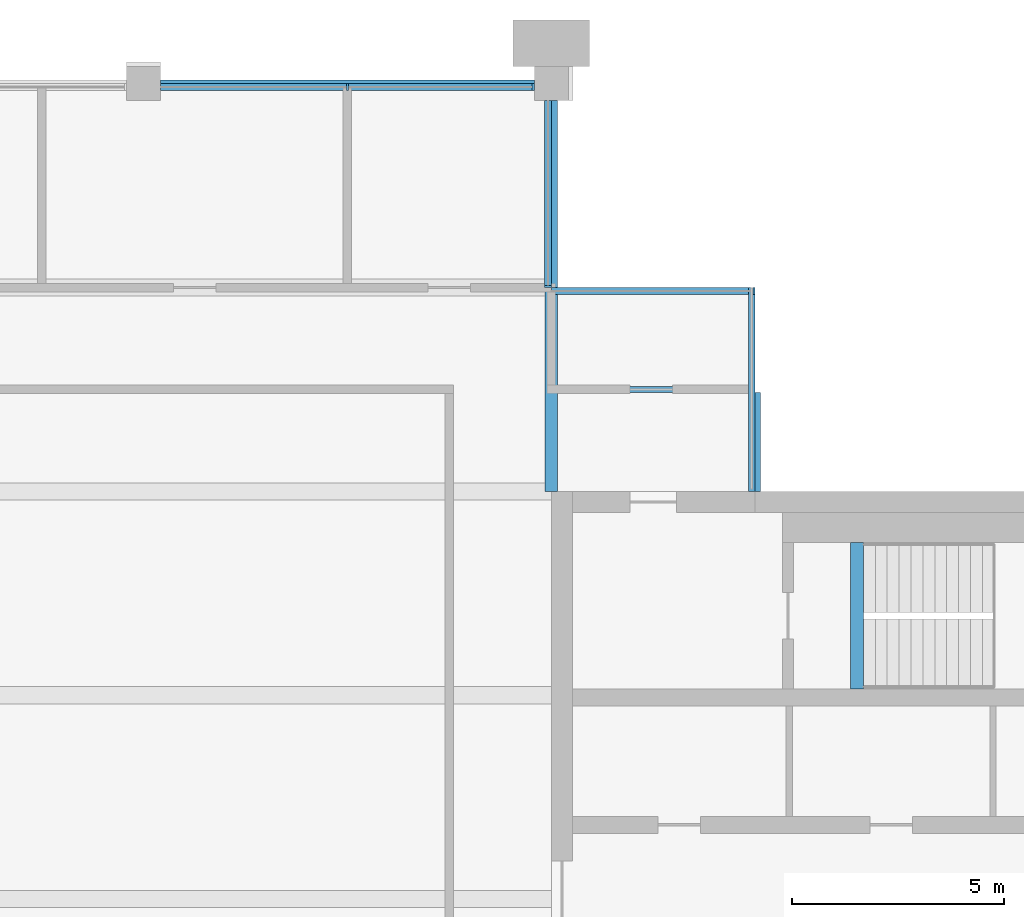
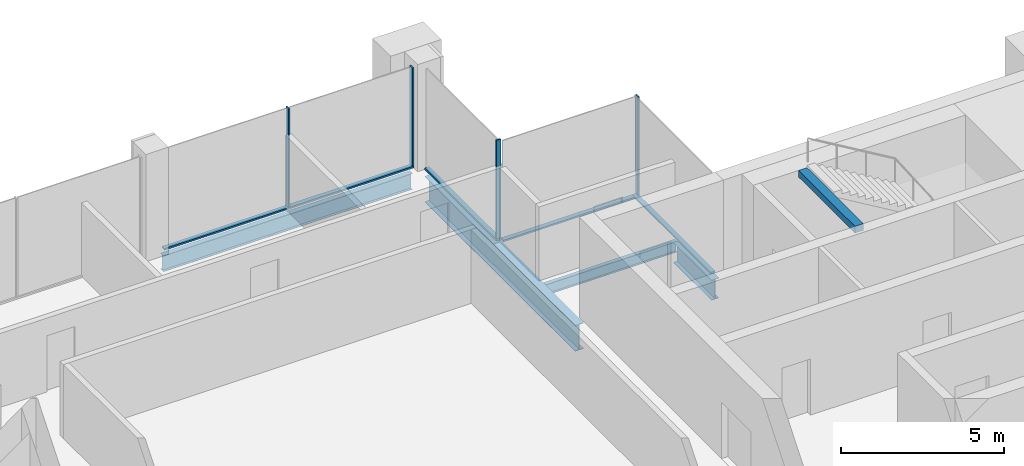
# One storey, part 6 of 11: 8 members, 5 beams, 4 elements without a shape of their own.
"""IFC4 building model written with IfcOpenShell, lengths in metres."""

import ifcopenshell
import ifcopenshell.guid

model = None  # the IFC model being written
_history = None  # IfcOwnerHistory: only IFC2X3 demands one
_inside = {}  # id of a spatial element -> (the spatial element, [elements in it])
_under = {}  # id of a project, library or spatial element -> (it, [spatial elements below it])
_declared = {}  # id of a project -> (the project, [libraries it declares])
_typed = {}  # id of a type object -> (the type object, [elements of that type])
_made_of = {}  # id of a material, layer set ... -> (it, [elements and type objects made of it])


def new_model(schema):
    """Start an empty IFC model of exactly this schema.

    Asked for "IFC4X3", IfcOpenShell would pick the latest addendum, in which some entities
    have other attributes; the version numbers below select the first issue.
    IFC2X3 requires an IfcOwnerHistory on every rooted entity: one is made here for all.
    """
    global model, _history
    if schema == "IFC4X3":
        model = ifcopenshell.file(schema_version=(4, 3, 0, 0))
    else:
        model = ifcopenshell.file(schema=schema)
    _inside.clear()
    _under.clear()
    _declared.clear()
    _typed.clear()
    _made_of.clear()
    _history = None
    if model.schema == "IFC2X3":
        org = make("IfcOrganization", Name="unknown")
        user = make(
            "IfcPersonAndOrganization",
            ThePerson=make("IfcPerson", FamilyName="unknown"),
            TheOrganization=org,
        )
        app = make(
            "IfcApplication",
            ApplicationDeveloper=org,
            Version="unknown",
            ApplicationFullName="unknown",
            ApplicationIdentifier="unknown",
        )
        _history = make(
            "IfcOwnerHistory",
            OwningUser=user,
            OwningApplication=app,
            ChangeAction="ADDED",
            CreationDate=0,
        )
    return model


def make(cls, **values):
    """One entity of the class cls with the attributes given. An attribute that is None is left unset."""
    return model.create_entity(
        cls, **{name: value for name, value in values.items() if value is not None}
    )


def rooted(cls, **values):
    """An entity with a GlobalId (a new one), such as an element, a storey or a relation."""
    return make(cls, GlobalId=ifcopenshell.guid.new(), OwnerHistory=_history, **values)


def si_unit(unit_type, name, prefix=None):
    """IfcSIUnit, for example si_unit("LENGTHUNIT", "METRE", prefix="MILLI")."""
    return make("IfcSIUnit", UnitType=unit_type, Prefix=prefix, Name=name)


def assignment(units):
    """IfcUnitAssignment: the units of a project."""
    return None if units is None else make("IfcUnitAssignment", Units=units)


def point(xyz):
    """IfcCartesianPoint."""
    return None if xyz is None else make("IfcCartesianPoint", Coordinates=xyz)


def direction(xyz):
    """IfcDirection."""
    return None if xyz is None else make("IfcDirection", DirectionRatios=xyz)


def frame(location, z_axis=None, x_axis=None):
    """IfcAxis2Placement3D, a coordinate frame: its origin and axes. An axis left out is left unset."""
    return make(
        "IfcAxis2Placement3D",
        Location=point(location),
        Axis=direction(z_axis),
        RefDirection=direction(x_axis),
    )


def frame_2d(location, x_axis=None):
    """IfcAxis2Placement2D, a coordinate frame in the plane: its origin and x axis."""
    return make(
        "IfcAxis2Placement2D", Location=point(location), RefDirection=direction(x_axis)
    )


def origin():
    """The frame at (0, 0, 0) with its axes left unset."""
    return frame((0.0, 0.0, 0.0))


def origin_2d():
    """The frame at (0, 0) in the plane with its x axis left unset."""
    return frame_2d((0.0, 0.0))


def place(relative_to, where):
    """IfcLocalPlacement: puts the frame where relative to a parent placement (None: the world)."""
    return make(
        "IfcLocalPlacement", PlacementRelTo=relative_to, RelativePlacement=where
    )


def context(
    kind, dimensions, precision=None, world=None, true_north=None, identifier=None
):
    """IfcGeometricRepresentationContext, for example the 3D "Model" context."""
    return make(
        "IfcGeometricRepresentationContext",
        ContextIdentifier=identifier,
        ContextType=kind,
        CoordinateSpaceDimension=dimensions,
        Precision=precision,
        WorldCoordinateSystem=world,
        TrueNorth=true_north,
    )


def subcontext(parent, identifier, kind, view, scale=None):
    """IfcGeometricRepresentationSubContext, for example "Body" below "Model"."""
    return make(
        "IfcGeometricRepresentationSubContext",
        ContextIdentifier=identifier,
        ContextType=kind,
        ParentContext=parent,
        TargetScale=scale,
        TargetView=view,
    )


def project(units=None, contexts=None):
    """IfcProject with its units and contexts."""
    return rooted(
        "IfcProject",
        Name="project",
        RepresentationContexts=contexts,
        UnitsInContext=assignment(units),
    )


def spatial(cls, under=None, at=None, **own):
    """A site, building, storey or space (cls), placed at a placement, below another one or the project."""
    s = rooted(cls, ObjectPlacement=at, **own)
    if under is not None:
        _under.setdefault(under.id(), (under, []))[1].append(s)
    return s


def profile(cls, at=None, kind="AREA", **sizes):
    """A parametric profile (cls). Its sizes go by their IFC names, for example OverallWidth=200.0."""
    return make(cls, ProfileType=kind, Position=at, **sizes)


def rectangle(**sizes):
    """IfcRectangleProfileDef."""
    return profile("IfcRectangleProfileDef", **sizes)


def i_section(**sizes):
    """IfcIShapeProfileDef."""
    return profile("IfcIShapeProfileDef", **sizes)


def extrude(swept, where, along, depth):
    """IfcExtrudedAreaSolid: the profile swept, set in the frame where, extruded along a direction by depth."""
    return make(
        "IfcExtrudedAreaSolid",
        SweptArea=swept,
        Position=where,
        ExtrudedDirection=direction(along),
        Depth=depth,
    )


def shape(context_of_items, identifier, shape_type, items):
    """IfcShapeRepresentation: the items that make up one representation, for example the "Body"."""
    return make(
        "IfcShapeRepresentation",
        ContextOfItems=context_of_items,
        RepresentationIdentifier=identifier,
        RepresentationType=shape_type,
        Items=items,
    )


def material(Name=None, Category=None):
    """IfcMaterial."""
    return make("IfcMaterial", Name=Name, Category=Category)


def material_profile(
    of_material, cross_section, Name=None, Category=None, Priority=None
):
    """IfcMaterialProfile: a cross section and its material."""
    return make(
        "IfcMaterialProfile",
        Name=Name,
        Material=of_material,
        Profile=cross_section,
        Priority=Priority,
        Category=Category,
    )


def profile_set(profiles, Name=None, composite=None):
    """IfcMaterialProfileSet."""
    return make(
        "IfcMaterialProfileSet",
        Name=Name,
        MaterialProfiles=profiles,
        CompositeProfile=composite,
    )


def made_of(thing, what):
    """Note that an element or type object is made of a material, layer set ...; save() writes the relation."""
    if what is not None:
        _made_of.setdefault(what.id(), (what, []))[1].append(thing)
    return thing


def type_object(cls, material=None, **own):
    """A type object (cls), such as IfcWallType, which elements share."""
    return made_of(rooted(cls, **own), material)


def element(
    cls,
    number,
    at=None,
    inside=None,
    cuts=None,
    type_object=None,
    material=None,
    context=None,
    identifier="Body",
    shape_type=None,
    held_by="IfcProductDefinitionShape",
    body=None,
    shapes=None,
    **own,
):
    """One element of the class cls, such as IfcWall. Its Tag is "e" and its number.

    at: its placement. inside: the storey or other place that contains it. cuts: it is an
    opening in that element (IfcRelVoidsElement). A single representation is given by context,
    identifier, shape_type and body (its items); several are given by shapes. held_by: the class
    of the entity that holds the representations. save() writes the other relations.
    """
    e = rooted(cls, Tag="e%d" % number, ObjectPlacement=at, **own)
    if body is not None:
        shapes = [shape(context, identifier, shape_type, body)]
    if shapes is not None:
        e.Representation = make(held_by, Representations=shapes)
    if inside is not None:
        _inside.setdefault(inside.id(), (inside, []))[1].append(e)
    if cuts is not None:
        rooted(
            "IfcRelVoidsElement", RelatingBuildingElement=cuts, RelatedOpeningElement=e
        )
    if type_object is not None:
        _typed.setdefault(type_object.id(), (type_object, []))[1].append(e)
    return made_of(e, material)


def aggregate(whole, parts):
    """IfcRelAggregates: a whole, such as a stair, and the parts it consists of."""
    return rooted("IfcRelAggregates", RelatingObject=whole, RelatedObjects=parts)


def save(model, path):
    """Write the relations noted so far, then the file.

    IfcRelAggregates (storeys below a building ...), IfcRelContainedInSpatialStructure (elements
    in a storey), IfcRelDefinesByType, IfcRelAssociatesMaterial and IfcRelDeclares: one each for
    every whole, place, type object, material and project.
    """
    for whole, parts in _under.values():
        aggregate(whole, parts)
    for where, things in _inside.values():
        rooted(
            "IfcRelContainedInSpatialStructure",
            RelatedElements=things,
            RelatingStructure=where,
        )
    for kind, things in _typed.values():
        rooted("IfcRelDefinesByType", RelatedObjects=things, RelatingType=kind)
    for what, things in _made_of.values():
        rooted("IfcRelAssociatesMaterial", RelatedObjects=things, RelatingMaterial=what)
    for by, libraries in _declared.values():
        rooted("IfcRelDeclares", RelatingContext=by, RelatedDefinitions=libraries)
    model.write(path)


model = new_model("IFC4")

# Units and contexts
model_context = context("Model", 3, precision=1e-05, world=origin(), true_north=direction((0.0, 1.0)))
body_context = subcontext(model_context, "Body", "Model", "MODEL_VIEW")
ifc_project = project(units=[si_unit("LENGTHUNIT", "METRE"), si_unit("AREAUNIT", "SQUARE_METRE"), si_unit("VOLUMEUNIT", "CUBIC_METRE"), si_unit("PLANEANGLEUNIT", "RADIAN"), si_unit("MASSUNIT", "GRAM", prefix="KILO")], contexts=[model_context])

# Site, building, storey
site_placement = place(None, origin())
site = spatial("IfcSite", under=ifc_project, at=site_placement, CompositionType="ELEMENT")
building_placement = place(site_placement, origin())
building = spatial("IfcBuilding", under=site, at=building_placement, Name="Baori Bourse Tower", CompositionType="ELEMENT")
storey_placement = place(building_placement, frame((0.0, 0.0, 358.300048828125)))
storey = spatial("IfcBuildingStorey", under=building, at=storey_placement, Name="L80", CompositionType="ELEMENT", Elevation=358.300048828125)

# Curtain wall, member
ifc_material_1 = material(Name="Pale anodised aluminium", Category="aluminium")
curtain_wall_type = type_object("IfcCurtainWallType", Name="CW3 Curtain wall", PredefinedType="NOTDEFINED", material=ifc_material_1)
curtain_wall_1_placement = place(storey_placement, origin())
curtain_wall_1 = element("IfcCurtainWall", 1, at=curtain_wall_1_placement, inside=storey, type_object=curtain_wall_type, Name="Curtain wall CW3 L80 3", PredefinedType="NOTDEFINED")
ifc_material_2 = material(Name="Pale anodised aluminium", Category="aluminium")
ifc_material_profile_1 = material_profile(ifc_material_2, rectangle(XDim=0.159912109375, YDim=0.050048828125, at=origin_2d()), Name="Mullion 50x160")
ifc_profile_set_1 = profile_set([ifc_material_profile_1], Name="Pale anodised aluminium")
member_type_1 = type_object("IfcMemberType", Name="CW3 Curtain wall mullion", PredefinedType="MULLION", material=ifc_profile_set_1)
member_1_placement = place(storey_placement, frame((43.175048828125, 43.1201171875, 0.06005859375), z_axis=(0.0, 0.0, 1.0), x_axis=(0.0, -1.0, 0.0)))
member_1 = element("IfcMember", 2, at=member_1_placement, type_object=member_type_1, Name="Curtain wall CW3 mullion", PredefinedType="MULLION", context=body_context, shape_type="SweptSolid", body=[
    extrude(rectangle(XDim=0.159912109375, YDim=0.050048828125, at=origin_2d()), origin(), (0.0, 0.0, 1.0), 3.68994140625),
])

curtain_wall_2_placement = place(storey_placement, origin())
curtain_wall_2 = element("IfcCurtainWall", 3, at=curtain_wall_2_placement, inside=storey, type_object=curtain_wall_type, Name="Curtain wall CW3 L80 4", PredefinedType="NOTDEFINED")
member_2_placement = place(storey_placement, frame((38.320068359375, 43.22509765625, 0.06005859375), z_axis=(0.0, 0.0, 1.0), x_axis=(-1.0, 0.0, 0.0)))
member_2 = element("IfcMember", 4, at=member_2_placement, type_object=member_type_1, Name="Curtain wall CW3 mullion", PredefinedType="MULLION", context=body_context, shape_type="SweptSolid", body=[
    extrude(rectangle(XDim=0.159912109375, YDim=0.050048828125, at=origin_2d()), origin(), (0.0, 0.0, 1.0), 3.68994140625),
])

# Curtain wall, members
curtain_wall_3_placement = place(storey_placement, origin())
curtain_wall_3 = element("IfcCurtainWall", 5, at=curtain_wall_3_placement, inside=storey, type_object=curtain_wall_type, Name="Curtain wall CW3 L80 5", PredefinedType="NOTDEFINED")
member_3_placement = place(storey_placement, frame((37.97509765625, 47.919921875, 0.06005859375), z_axis=(0.0, 0.0, 1.0), x_axis=(0.0, -1.0, 0.0)))
member_3 = element("IfcMember", 6, at=member_3_placement, type_object=member_type_1, Name="Curtain wall CW3 mullion", PredefinedType="MULLION", context=body_context, shape_type="SweptSolid", body=[
    extrude(rectangle(XDim=0.159912109375, YDim=0.050048828125, at=origin_2d()), origin(), (0.0, 0.0, 1.0), 3.68994140625),
])
member_4_placement = place(storey_placement, frame((33.60009765625, 47.919921875, 0.06005859375), z_axis=(0.0, 0.0, 1.0), x_axis=(0.0, -1.0, 0.0)))
member_4 = element("IfcMember", 7, at=member_4_placement, type_object=member_type_1, Name="Curtain wall CW3 mullion", PredefinedType="MULLION", context=body_context, shape_type="SweptSolid", body=[
    extrude(rectangle(XDim=0.159912109375, YDim=0.050048828125, at=origin_2d()), origin(), (0.0, 0.0, 1.0), 3.68994140625),
])

# Curtain wall, member
curtain_wall_4_placement = place(storey_placement, origin())
curtain_wall_4 = element("IfcCurtainWall", 8, at=curtain_wall_4_placement, inside=storey, type_object=curtain_wall_type, Name="Curtain wall CW3 L80 2", PredefinedType="NOTDEFINED")
ifc_material_3 = material(Name="Pale anodised aluminium", Category="aluminium")
ifc_material_profile_2 = material_profile(ifc_material_3, rectangle(XDim=0.159912109375, YDim=0.06005859375, at=origin_2d()), Name="Transom 60x160")
ifc_profile_set_2 = profile_set([ifc_material_profile_2], Name="Pale anodised aluminium")
member_type_2 = type_object("IfcMemberType", Name="CW3 Curtain wall transom", PredefinedType="USERDEFINED", material=ifc_profile_set_2)
member_5_placement = place(storey_placement, frame((43.1201171875, 38.39990234375, 0.030029296875), z_axis=(0.0, 1.0, 0.0), x_axis=(-1.0, 0.0, 0.0)))
member_5 = element("IfcMember", 9, at=member_5_placement, type_object=member_type_2, Name="Curtain wall CW3 sill rail", ObjectType="TRANSOM", PredefinedType="USERDEFINED", context=body_context, shape_type="SweptSolid", body=[
    extrude(rectangle(XDim=0.159912109375, YDim=0.06005859375, at=origin_2d()), origin(), (0.0, 0.0, 1.0), 4.800048828125),
])
aggregate(curtain_wall_4, [member_5])

# Member
member_6_placement = place(storey_placement, frame((43.199951171875, 43.1201171875, 0.030029296875), z_axis=(-1.0, 0.0, 0.0), x_axis=(0.0, -1.0, 0.0)))
member_6 = element("IfcMember", 10, at=member_6_placement, type_object=member_type_2, Name="Curtain wall CW3 sill rail", ObjectType="TRANSOM", PredefinedType="USERDEFINED", context=body_context, shape_type="SweptSolid", body=[
    extrude(rectangle(XDim=0.159912109375, YDim=0.06005859375, at=origin_2d()), origin(), (0.0, 0.0, 1.0), 4.800048828125),
])

aggregate(curtain_wall_1, [member_6, member_1])

member_7_placement = place(storey_placement, frame((38.320068359375, 43.199951171875, 0.030029296875), z_axis=(0.0, 1.0, 0.0), x_axis=(-1.0, 0.0, 0.0)))
member_7 = element("IfcMember", 11, at=member_7_placement, type_object=member_type_2, Name="Curtain wall CW3 sill rail", ObjectType="TRANSOM", PredefinedType="USERDEFINED", context=body_context, shape_type="SweptSolid", body=[
    extrude(rectangle(XDim=0.159912109375, YDim=0.06005859375, at=origin_2d()), origin(), (0.0, 0.0, 1.0), 4.400146484375),
])

aggregate(curtain_wall_2, [member_7, member_2])

member_8_placement = place(storey_placement, frame((38.0, 47.919921875, 0.030029296875), z_axis=(-1.0, 0.0, 0.0), x_axis=(0.0, -1.0, 0.0)))
member_8 = element("IfcMember", 12, at=member_8_placement, type_object=member_type_2, Name="Curtain wall CW3 sill rail", ObjectType="TRANSOM", PredefinedType="USERDEFINED", context=body_context, shape_type="SweptSolid", body=[
    extrude(rectangle(XDim=0.159912109375, YDim=0.06005859375, at=origin_2d()), origin(), (0.0, 0.0, 1.0), 8.800048828125),
])

aggregate(curtain_wall_3, [member_8, member_3, member_4])

# Beams
ifc_material_4 = material(Name="Steel A992 Gr 50", Category="steel")
ifc_material_profile_3 = material_profile(ifc_material_4, i_section(OverallWidth=0.26416015625, OverallDepth=0.749267578125, WebThickness=0.011962890625, FlangeThickness=0.015380859375, at=origin_2d()), Name="W30x90")
ifc_profile_set_3 = profile_set([ifc_material_profile_3], Name="Steel A992 Gr 50")
beam_type_1 = type_object("IfcBeamType", Name="Core bracket W30x90", PredefinedType="BEAM", material=ifc_profile_set_3)
beam_1_placement = place(storey_placement, frame((43.199951171875, 38.39990234375, -0.624755859375), z_axis=(0.0, 1.0, 0.0), x_axis=(-1.0, 0.0, 0.0)))
element("IfcBeam", 13, at=beam_1_placement, inside=storey, type_object=beam_type_1, Name="Core bracket L80", PredefinedType="BEAM", context=body_context, shape_type="SweptSolid", body=[
    extrude(i_section(OverallWidth=0.26416015625, OverallDepth=0.749267578125, WebThickness=0.011962890625, FlangeThickness=0.015380859375, at=origin_2d()), origin(), (0.0, 0.0, 1.0), 2.329833984375),
])
ifc_material_5 = material(Name="Steel A992 Gr 50", Category="steel")
ifc_material_profile_4 = material_profile(ifc_material_5, i_section(OverallWidth=0.177978515625, OverallDepth=0.599365234375, WebThickness=0.010009765625, FlangeThickness=0.012939453125, at=origin_2d()), Name="W24x55")
ifc_profile_set_4 = profile_set([ifc_material_profile_4], Name="Steel A992 Gr 50")
beam_type_2 = type_object("IfcBeamType", Name="Edge beam W24x55", PredefinedType="BEAM", material=ifc_profile_set_4)
beam_2_placement = place(storey_placement, frame((29.199951171875, 48.0, -0.5498046875), z_axis=(1.0, 0.0, 0.0), x_axis=(0.0, 1.0, 0.0)))
element("IfcBeam", 14, at=beam_2_placement, inside=storey, type_object=beam_type_2, Name="Edge beam L80", PredefinedType="BEAM", context=body_context, shape_type="SweptSolid", body=[
    extrude(i_section(OverallWidth=0.177978515625, OverallDepth=0.599365234375, WebThickness=0.010009765625, FlangeThickness=0.012939453125, at=origin_2d()), origin(), (0.0, 0.0, 1.0), 8.800048828125),
])
ifc_material_6 = material(Name="Steel A992 Gr 50", Category="steel")
ifc_material_profile_5 = material_profile(ifc_material_6, i_section(OverallWidth=0.2998046875, OverallDepth=0.97021484375, WebThickness=0.01611328125, FlangeThickness=0.02099609375, at=origin_2d()), Name="W40x149")
ifc_profile_set_5 = profile_set([ifc_material_profile_5], Name="Steel A992 Gr 50")
beam_type_3 = type_object("IfcBeamType", Name="Girder W40x149", PredefinedType="BEAM", material=ifc_profile_set_5)
beam_3_placement = place(storey_placement, frame((38.39990234375, 38.39990234375, -0.735107421875), z_axis=(0.0, 1.0, 0.0), x_axis=(-1.0, 0.0, 0.0)))
element("IfcBeam", 15, at=beam_3_placement, inside=storey, type_object=beam_type_3, Name="Girder L80", PredefinedType="BEAM", context=body_context, shape_type="SweptSolid", body=[
    extrude(i_section(OverallWidth=0.2998046875, OverallDepth=0.97021484375, WebThickness=0.01611328125, FlangeThickness=0.02099609375, at=origin_2d()), origin(), (0.0, 0.0, 1.0), 9.2001953125),
])
ifc_material_7 = material(Name="Concrete f'c 50 MPa", Category="concrete")
ifc_material_profile_6 = material_profile(ifc_material_7, rectangle(XDim=0.300048828125, YDim=0.25, at=origin_2d()), Name="RC 300x250")
ifc_profile_set_6 = profile_set([ifc_material_profile_6], Name="Concrete f'c 50 MPa")
beam_type_4 = type_object("IfcBeamType", Name="Stair nib beam RC 300x250", PredefinedType="BEAM", material=ifc_profile_set_6)
beam_4_placement = place(storey_placement, frame((45.60009765625, 33.75, 3.625), z_axis=(0.0, 1.0, 0.0), x_axis=(-1.0, 0.0, 0.0)))
element("IfcBeam", 16, at=beam_4_placement, inside=storey, type_object=beam_type_4, Name="Stair EB nib beam L81", PredefinedType="BEAM", context=body_context, shape_type="SweptSolid", body=[
    extrude(rectangle(XDim=0.300048828125, YDim=0.25, at=origin_2d()), origin(), (0.0, 0.0, 1.0), 3.449951171875),
])
ifc_material_8 = material(Name="Steel A992 Gr 50", Category="steel")
ifc_material_profile_7 = material_profile(ifc_material_8, i_section(OverallWidth=0.140380859375, OverallDepth=0.40380859375, WebThickness=0.007080078125, FlangeThickness=0.01123046875, at=origin_2d()), Name="W16x31")
ifc_profile_set_7 = profile_set([ifc_material_profile_7], Name="Steel A992 Gr 50")
beam_type_5 = type_object("IfcBeamType", Name="Trimmer beam W16x31", PredefinedType="BEAM", material=ifc_profile_set_7)
beam_5_placement = place(storey_placement, frame((38.5498046875, 40.800048828125, -0.451904296875), z_axis=(1.0, 0.0, 0.0), x_axis=(0.0, 1.0, 0.0)))
element("IfcBeam", 17, at=beam_5_placement, inside=storey, type_object=beam_type_5, Name="Trimmer beam L80", PredefinedType="BEAM", context=body_context, shape_type="SweptSolid", body=[
    extrude(i_section(OverallWidth=0.140380859375, OverallDepth=0.40380859375, WebThickness=0.007080078125, FlangeThickness=0.01123046875, at=origin_2d()), origin(), (0.0, 0.0, 1.0), 4.650146484375),
])

save(model, "model.ifc")
